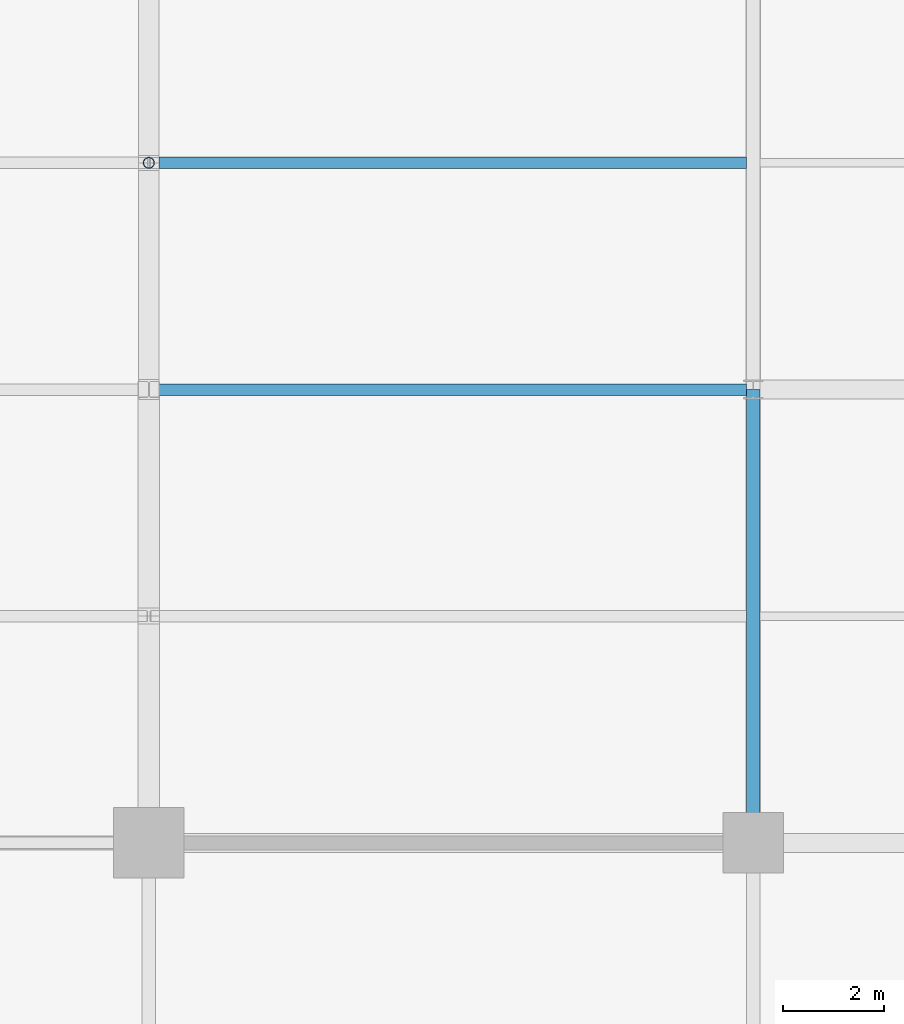
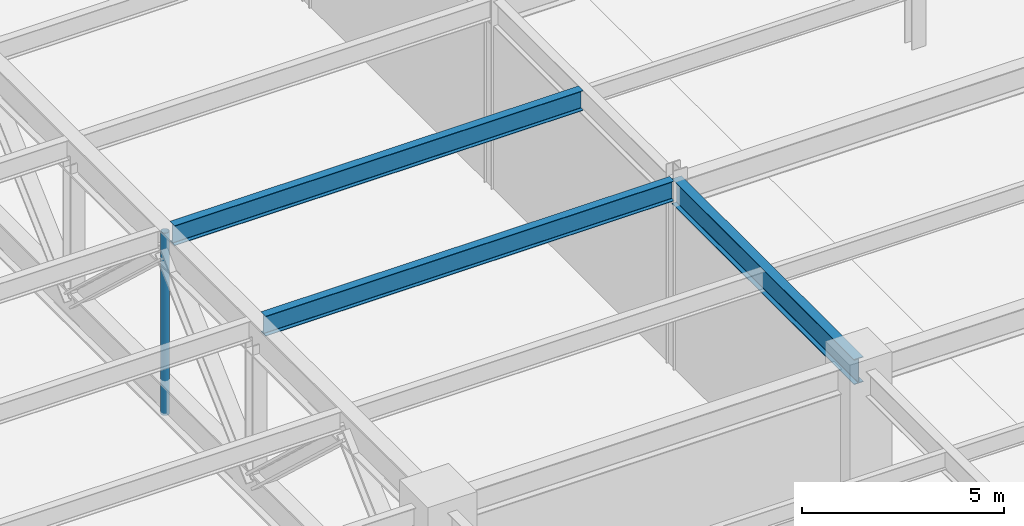
# One storey, part 38 of 108: 3 beams, 1 member.
"""IFC4 building model written with IfcOpenShell, lengths in metres."""

from ifc_helpers import new_model, si_unit, direction, frame, origin, origin_2d, place, context, subcontext, project, spatial, hollow_circle, i_section, extrude, material, material_profile, profile_set, type_object, element, save


model = new_model("IFC4")

# Units and contexts
model_context = context("Model", 3, precision=1e-05, world=origin(), true_north=direction((0.0, 1.0)))
body_context = subcontext(model_context, "Body", "Model", "MODEL_VIEW")
ifc_project = project(units=[si_unit("LENGTHUNIT", "METRE"), si_unit("AREAUNIT", "SQUARE_METRE"), si_unit("VOLUMEUNIT", "CUBIC_METRE"), si_unit("PLANEANGLEUNIT", "RADIAN"), si_unit("MASSUNIT", "GRAM", prefix="KILO")], contexts=[model_context])

# Site, building, storey
site_placement = place(None, origin())
site = spatial("IfcSite", under=ifc_project, at=site_placement, CompositionType="ELEMENT")
building_placement = place(site_placement, origin())
building = spatial("IfcBuilding", under=site, at=building_placement, Name="Kaldorvane Square Convention Centre", CompositionType="ELEMENT")
storey_placement = place(building_placement, frame((0.0, 0.0, 12.0)))
storey = spatial("IfcBuildingStorey", under=building, at=storey_placement, Name="L02", CompositionType="ELEMENT", Elevation=12.0)

# Beams
ifc_material_1 = material(Name="Steel ASTM A992 Gr. 50", Category="steel")
ifc_material_profile_1 = material_profile(ifc_material_1, i_section(OverallWidth=0.2666015625, OverallDepth=0.762298583984375, WebThickness=0.014404296875, FlangeThickness=0.0216064453125, FilletRadius=0.0164947509765625, at=origin_2d()), Name="W30X116")
ifc_profile_set_1 = profile_set([ifc_material_profile_1], Name="Steel ASTM A992 Gr. 50")
beam_type_1 = type_object("IfcBeamType", Name="BM-GR-W30X116", PredefinedType="BEAM", material=ifc_profile_set_1)
beam_placement = place(storey_placement, frame((114.0, 18.0, 5.264801025390625), z_axis=(0.0, 1.0, 0.0), x_axis=(-1.0, 0.0, 0.0)))
element("IfcBeam", 1, at=beam_placement, inside=storey, type_object=beam_type_1, Name="Transverse Girder (L02)", PredefinedType="BEAM", context=body_context, shape_type="SweptSolid", body=[
    extrude(i_section(OverallWidth=0.2666015625, OverallDepth=0.762298583984375, WebThickness=0.014404296875, FlangeThickness=0.0216064453125, FilletRadius=0.0164947509765625, at=origin_2d()), origin(), (0.0, 0.0, 1.0), 9.0),
])
ifc_material_profile_2 = material_profile(ifc_material_1, i_section(OverallWidth=0.2277069091796875, OverallDepth=0.6027069091796875, WebThickness=0.010498046875, FlangeThickness=0.014892578125, FilletRadius=0.0126953125, at=origin_2d()), Name="W24X68")
ifc_profile_set_2 = profile_set([ifc_material_profile_2], Name="Steel ASTM A992 Gr. 50")
beam_type_2 = type_object("IfcBeamType", Name="BM-JS-W24X68", PredefinedType="JOIST", material=ifc_profile_set_2)
for number, where, z_axis, x_axis, name in (
    (2, (102.20480346679688, 27.0, 5.3446044921875), (1.0, 0.0, 0.0), (0.0, 1.0, 0.0), "Hall Composite Floor Joist (L02)"),
    (3, (102.20480346679688, 31.5, 5.3446044921875), (1.0, 0.0, 0.0), (0.0, 1.0, 0.0), "Hall Composite Floor Joist (L02)"),
):
    element("IfcBeam", number, at=place(storey_placement, frame(where, z_axis=z_axis, x_axis=x_axis)), inside=storey, type_object=beam_type_2, Name=name, PredefinedType="JOIST", context=body_context, shape_type="SweptSolid", body=[
        extrude(i_section(OverallWidth=0.2277069091796875, OverallDepth=0.6027069091796875, WebThickness=0.010498046875, FlangeThickness=0.014892578125, FilletRadius=0.0126953125, at=origin_2d()), origin(), (0.0, 0.0, 1.0), 11.661895751953125),
    ])

# Member
ifc_material_2 = material(Name="Steel ASTM A500 Gr. C", Category="steel")
ifc_material_profile_3 = material_profile(ifc_material_2, hollow_circle(Radius=0.1095428466796875, WallThickness=0.0088958740234375, at=origin_2d()), Name="HSS8.625X0.375")
ifc_profile_set_3 = profile_set([ifc_material_profile_3], Name="Steel ASTM A500 Gr. C")
member_type = type_object("IfcMemberType", Name="MB-PS-CHS8", PredefinedType="POST", material=ifc_profile_set_3)
member_placement = place(storey_placement, frame((102.0, 31.5, 0.0), z_axis=(0.0, 0.0, 1.0), x_axis=(1.0, 0.0, 0.0)))
element("IfcMember", 4, at=member_placement, inside=storey, type_object=member_type, Name="Plenum Structural Post 07", PredefinedType="POST", context=body_context, shape_type="SweptSolid", body=[
    extrude(hollow_circle(Radius=0.1095428466796875, WallThickness=0.0088958740234375, at=origin_2d()), origin(), (0.0, 0.0, 1.0), 5.5),
])

save(model, "model.ifc")
